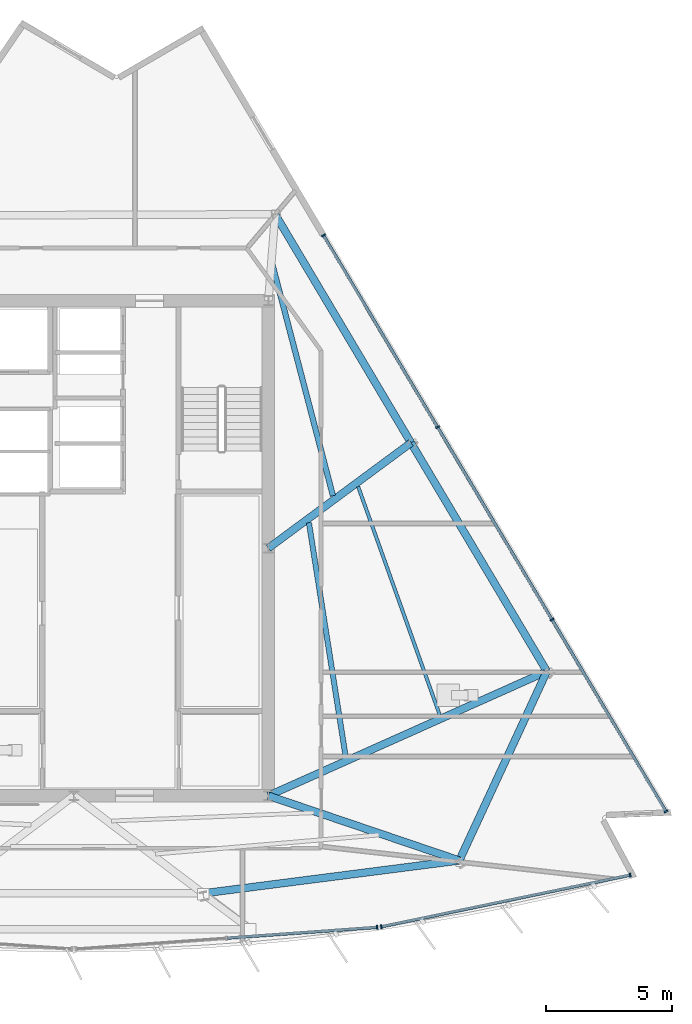
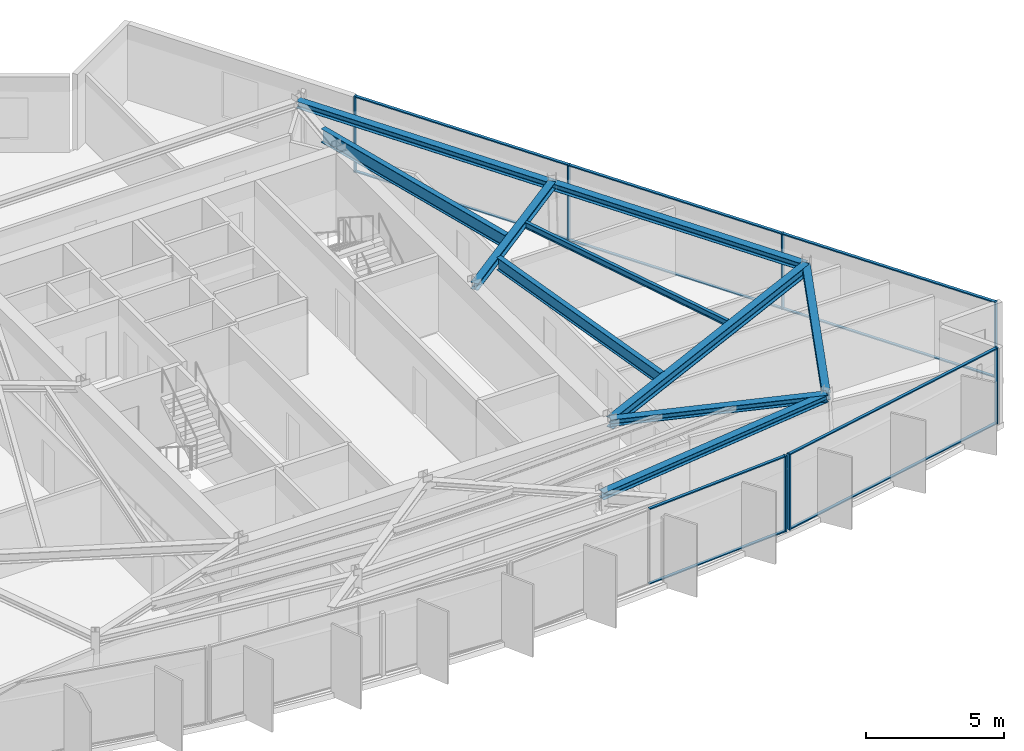
# One storey, part 5 of 12: 17 members, 10 beams, 3 elements without a shape of their own.
"""IFC4 building model written with IfcOpenShell, lengths in metres."""

from ifc_helpers import new_model, si_unit, direction, frame, origin, origin_2d, place, context, subcontext, project, spatial, rectangle, i_section, extrude, material, material_profile, profile_set, type_object, element, aggregate, save


model = new_model("IFC4")

# Units and contexts
model_context = context("Model", 3, precision=1e-05, world=origin(), true_north=direction((0.0, 1.0)))
body_context = subcontext(model_context, "Body", "Model", "MODEL_VIEW")
ifc_project = project(units=[si_unit("LENGTHUNIT", "METRE"), si_unit("AREAUNIT", "SQUARE_METRE"), si_unit("VOLUMEUNIT", "CUBIC_METRE"), si_unit("PLANEANGLEUNIT", "RADIAN"), si_unit("MASSUNIT", "GRAM", prefix="KILO")], contexts=[model_context])

# Site, building, storey
site_placement = place(None, origin())
site = spatial("IfcSite", under=ifc_project, at=site_placement, CompositionType="ELEMENT")
building_placement = place(site_placement, origin())
building = spatial("IfcBuilding", under=site, at=building_placement, Name="Savorim Split Tower", CompositionType="ELEMENT")
storey_placement = place(building_placement, frame((0.0, 0.0, 279.60009765625)))
storey = spatial("IfcBuildingStorey", under=building, at=storey_placement, Name="L74", CompositionType="ELEMENT", Elevation=279.60009765625)

# Beams
ifc_material_1 = material(Name="Steel S355", Category="steel")
ifc_material_profile_1 = material_profile(ifc_material_1, i_section(OverallWidth=0.135009765625, OverallDepth=0.27001953125, WebThickness=0.006591796875, FlangeThickness=0.01025390625, FilletRadius=0.014892578125, at=origin_2d()), Name="IPE 270")
ifc_profile_set_1 = profile_set([ifc_material_profile_1], Name="Steel S355")
beam_type_1 = type_object("IfcBeamType", Name="BM-JST-IPE270", PredefinedType="JOIST", material=ifc_profile_set_1)
beam_1_placement = place(storey_placement, frame((14.48291015625, -6.1943359375, 3.21484375), z_axis=(-0.336523463098, 0.941675081323, 0.0), x_axis=(-0.941675081323, -0.336523463098, 0.0)))
element("IfcBeam", 1, at=beam_1_placement, inside=storey, type_object=beam_type_1, Name="L74 Secondary Floor Joist JS-06", PredefinedType="JOIST", context=body_context, shape_type="SweptSolid", body=[
    extrude(i_section(OverallWidth=0.135009765625, OverallDepth=0.27001953125, WebThickness=0.006591796875, FlangeThickness=0.01025390625, FilletRadius=0.014892578125, at=origin_2d()), origin(), (0.0, 0.0, 1.0), 9.590087890625),
])
ifc_material_profile_2 = material_profile(ifc_material_1, i_section(OverallWidth=0.2099609375, OverallDepth=0.550048828125, WebThickness=0.010986328125, FlangeThickness=0.01708984375, FilletRadius=0.02392578125, at=origin_2d()), Name="IPE 550")
ifc_profile_set_2 = profile_set([ifc_material_profile_2], Name="Steel S355")
beam_type_2 = type_object("IfcBeamType", Name="BM-JST-IPE550", PredefinedType="JOIST", material=ifc_profile_set_2)
beam_2_placement = place(storey_placement, frame((10.7626953125, -7.8623046875, 3.074951171875), z_axis=(-0.155175826111, 0.987886867506, 0.0), x_axis=(-0.987886867506, -0.155175826111, 0.0)))
element("IfcBeam", 2, at=beam_2_placement, inside=storey, type_object=beam_type_2, Name="L74 Secondary Floor Joist JS-08", PredefinedType="JOIST", context=body_context, shape_type="SweptSolid", body=[
    extrude(i_section(OverallWidth=0.2099609375, OverallDepth=0.550048828125, WebThickness=0.010986328125, FlangeThickness=0.01708984375, FilletRadius=0.02392578125, at=origin_2d()), origin(), (0.0, 0.0, 1.0), 9.386474609375),
])
ifc_material_profile_3 = material_profile(ifc_material_1, i_section(OverallWidth=0.219970703125, OverallDepth=0.60009765625, WebThickness=0.011962890625, FlangeThickness=0.01904296875, FilletRadius=0.02392578125, at=origin_2d()), Name="IPE 600")
ifc_profile_set_3 = profile_set([ifc_material_profile_3], Name="Steel S355")
beam_type_3 = type_object("IfcBeamType", Name="BM-JST-IPE600", PredefinedType="JOIST", material=ifc_profile_set_3)
beam_3_placement = place(storey_placement, frame((10.257568359375, 2.474365234375, 3.0498046875), z_axis=(-0.253199959648, 0.967413965391, 0.0), x_axis=(-0.967413965391, -0.253199959648, 0.0)))
element("IfcBeam", 3, at=beam_3_placement, inside=storey, type_object=beam_type_3, Name="L74 Secondary Floor Joist JS-07", PredefinedType="JOIST", context=body_context, shape_type="SweptSolid", body=[
    extrude(i_section(OverallWidth=0.219970703125, OverallDepth=0.60009765625, WebThickness=0.011962890625, FlangeThickness=0.01904296875, FilletRadius=0.02392578125, at=origin_2d()), origin(), (0.0, 0.0, 1.0), 9.451171875),
])
ifc_material_profile_4 = material_profile(ifc_material_1, i_section(OverallWidth=0.300048828125, OverallDepth=0.300048828125, WebThickness=0.010986328125, FlangeThickness=0.01904296875, FilletRadius=0.027099609375, at=origin_2d()), Name="HEB 300")
ifc_profile_set_4 = profile_set([ifc_material_profile_4], Name="Steel S355")
beam_type_4 = type_object("IfcBeamType", Name="BM-PRI-HEB300", PredefinedType="BEAM", material=ifc_profile_set_4)
beam_4_placement = place(storey_placement, frame((15.25927734375, -11.96240234375, 3.199951171875), z_axis=(-0.947065248917, 0.321041141124, 0.0), x_axis=(-0.321041141124, -0.947065248917, 0.0)))
element("IfcBeam", 4, at=beam_4_placement, inside=storey, type_object=beam_type_4, Name="L74 Primary Floor Girder RG-04", PredefinedType="BEAM", context=body_context, shape_type="SweptSolid", body=[
    extrude(i_section(OverallWidth=0.300048828125, OverallDepth=0.300048828125, WebThickness=0.010986328125, FlangeThickness=0.01904296875, FilletRadius=0.027099609375, at=origin_2d()), origin(), (0.0, 0.0, 1.0), 7.98193359375),
])
beam_5_placement = place(storey_placement, frame((13.347900390625, 4.572998046875, 3.199951171875), z_axis=(-0.804276560366, -0.594255176205, 0.0), x_axis=(0.594255176205, -0.804276560366, 0.0)))
element("IfcBeam", 5, at=beam_5_placement, inside=storey, type_object=beam_type_4, Name="L74 Primary Floor Girder RG-06", PredefinedType="BEAM", context=body_context, shape_type="SweptSolid", body=[
    extrude(i_section(OverallWidth=0.300048828125, OverallDepth=0.300048828125, WebThickness=0.010986328125, FlangeThickness=0.01904296875, FilletRadius=0.027099609375, at=origin_2d()), origin(), (0.0, 0.0, 1.0), 7.0224609375),
])
ifc_material_profile_5 = material_profile(ifc_material_1, i_section(OverallWidth=0.300048828125, OverallDepth=0.449951171875, WebThickness=0.013916015625, FlangeThickness=0.02587890625, FilletRadius=0.027099609375, at=origin_2d()), Name="HEB 450")
ifc_profile_set_5 = profile_set([ifc_material_profile_5], Name="Steel S355")
beam_type_5 = type_object("IfcBeamType", Name="BM-PRI-HEB450", PredefinedType="BEAM", material=ifc_profile_set_5)
beam_6_placement = place(storey_placement, frame((18.726806640625, -4.472900390625, 3.125), z_axis=(-0.913005346597, -0.407947591101, 0.0), x_axis=(0.407947591101, -0.913005346597, 0.0)))
element("IfcBeam", 6, at=beam_6_placement, inside=storey, type_object=beam_type_5, Name="L74 Primary Floor Girder RG-05", PredefinedType="BEAM", context=body_context, shape_type="SweptSolid", body=[
    extrude(i_section(OverallWidth=0.300048828125, OverallDepth=0.449951171875, WebThickness=0.013916015625, FlangeThickness=0.02587890625, FilletRadius=0.027099609375, at=origin_2d()), origin(), (0.0, 0.0, 1.0), 12.07763671875),
])
ifc_material_profile_6 = material_profile(ifc_material_1, i_section(OverallWidth=0.300048828125, OverallDepth=0.31005859375, WebThickness=0.009033203125, FlangeThickness=0.015380859375, FilletRadius=0.027099609375, at=origin_2d()), Name="HEA 320")
ifc_profile_set_6 = profile_set([ifc_material_profile_6], Name="Steel S355")
beam_type_6 = type_object("IfcBeamType", Name="BM-SPN-HEA320", PredefinedType="SPANDREL", material=ifc_profile_set_6)
beam_7_placement = place(storey_placement, frame((5.1142578125, -13.264892578125, 3.19482421875), z_axis=(0.991858875816, 0.127341943074, 0.0), x_axis=(-0.127341943074, 0.991858875816, 0.0)))
element("IfcBeam", 7, at=beam_7_placement, inside=storey, type_object=beam_type_6, Name="L74 Perimeter Spandrel Beam 3", PredefinedType="SPANDREL", context=body_context, shape_type="SweptSolid", body=[
    extrude(i_section(OverallWidth=0.300048828125, OverallDepth=0.31005859375, WebThickness=0.009033203125, FlangeThickness=0.015380859375, FilletRadius=0.027099609375, at=origin_2d()), origin(), (0.0, 0.0, 1.0), 10.228271484375),
])
beam_8_placement = place(storey_placement, frame((15.25927734375, -11.96240234375, 3.19482421875), z_axis=(0.420140259094, 0.907459179626, 0.0), x_axis=(-0.907459179626, 0.420140259094, 0.0)))
element("IfcBeam", 8, at=beam_8_placement, inside=storey, type_object=beam_type_6, Name="L74 Perimeter Spandrel Beam 4", PredefinedType="SPANDREL", context=body_context, shape_type="SweptSolid", body=[
    extrude(i_section(OverallWidth=0.300048828125, OverallDepth=0.31005859375, WebThickness=0.009033203125, FlangeThickness=0.015380859375, FilletRadius=0.027099609375, at=origin_2d()), origin(), (0.0, 0.0, 1.0), 8.253173828125),
])
beam_9_placement = place(storey_placement, frame((18.726806640625, -4.472900390625, 3.19482421875), z_axis=(-0.511093920952, 0.859524871057, 0.0), x_axis=(-0.859524871057, -0.511093920952, 0.0)))
element("IfcBeam", 9, at=beam_9_placement, inside=storey, type_object=beam_type_6, Name="L74 Perimeter Spandrel Beam 5", PredefinedType="SPANDREL", context=body_context, shape_type="SweptSolid", body=[
    extrude(i_section(OverallWidth=0.300048828125, OverallDepth=0.31005859375, WebThickness=0.009033203125, FlangeThickness=0.015380859375, FilletRadius=0.027099609375, at=origin_2d()), origin(), (0.0, 0.0, 1.0), 10.5244140625),
])
beam_10_placement = place(storey_placement, frame((13.347900390625, 4.572998046875, 3.19482421875), z_axis=(-0.511097164467, 0.859522942378, 0.0), x_axis=(-0.859522942378, -0.511097164467, 0.0)))
element("IfcBeam", 10, at=beam_10_placement, inside=storey, type_object=beam_type_6, Name="L74 Perimeter Spandrel Beam 6", PredefinedType="SPANDREL", context=body_context, shape_type="SweptSolid", body=[
    extrude(i_section(OverallWidth=0.300048828125, OverallDepth=0.31005859375, WebThickness=0.009033203125, FlangeThickness=0.015380859375, FilletRadius=0.027099609375, at=origin_2d()), origin(), (0.0, 0.0, 1.0), 10.523681640625),
])

# Curtain wall, member
ifc_material_2 = material(Name="Dark Ceramic-Fritted Insulated Glass", Category="glass")
curtain_wall_type = type_object("IfcCurtainWallType", Name="CW-TWR-FRIT-B", PredefinedType="NOTDEFINED", material=ifc_material_2)
curtain_wall_1_placement = place(storey_placement, origin())
curtain_wall_1 = element("IfcCurtainWall", 11, at=curtain_wall_1_placement, inside=storey, type_object=curtain_wall_type, Name="L74 Curtain Wall CW-L74-SF3", PredefinedType="NOTDEFINED")
ifc_material_3 = material(Name="Charcoal Anodised Aluminium", Category="aluminium")
ifc_material_profile_7 = material_profile(ifc_material_3, rectangle(XDim=0.159912109375, YDim=0.06005859375, at=origin_2d()), Name="ALU-M 160x60")
ifc_profile_set_7 = profile_set([ifc_material_profile_7], Name="Charcoal Anodised Aluminium")
member_type_1 = type_object("IfcMemberType", Name="CWM-160x60", PredefinedType="MULLION", material=ifc_profile_set_7)
member_1_placement = place(storey_placement, frame((12.00732421875, -14.607177734375, 0.0), z_axis=(0.0, 0.0, 1.0), x_axis=(-0.071558116795, 0.99743643202, 0.0)))
member_1 = element("IfcMember", 12, at=member_1_placement, type_object=member_type_1, Name="CW-03 mullion 3", PredefinedType="MULLION", context=body_context, shape_type="SweptSolid", body=[
    extrude(rectangle(XDim=0.159912109375, YDim=0.06005859375, at=origin_2d()), origin(), (0.0, 0.0, 1.0), 3.349853515625),
])

# Curtain wall, members
curtain_wall_2_placement = place(storey_placement, origin())
curtain_wall_2 = element("IfcCurtainWall", 13, at=curtain_wall_2_placement, inside=storey, type_object=curtain_wall_type, Name="L74 Curtain Wall CW-L74-SF4", PredefinedType="NOTDEFINED")
member_2_placement = place(storey_placement, frame((12.16943359375, -14.584716796875, 0.0), z_axis=(0.0, 0.0, 1.0), x_axis=(-0.20321234794, 0.979134690247, 0.0)))
member_2 = element("IfcMember", 14, at=member_2_placement, type_object=member_type_1, Name="CW-03 mullion 1", PredefinedType="MULLION", context=body_context, shape_type="SweptSolid", body=[
    extrude(rectangle(XDim=0.159912109375, YDim=0.06005859375, at=origin_2d()), origin(), (0.0, 0.0, 1.0), 3.349853515625),
])
member_3_placement = place(storey_placement, frame((22.02490234375, -12.539306640625, 0.0), z_axis=(0.0, 0.0, 1.0), x_axis=(-0.20321234794, 0.979134690247, 0.0)))
member_3 = element("IfcMember", 15, at=member_3_placement, type_object=member_type_1, Name="CW-03 mullion 2", PredefinedType="MULLION", context=body_context, shape_type="SweptSolid", body=[
    extrude(rectangle(XDim=0.159912109375, YDim=0.06005859375, at=origin_2d()), origin(), (0.0, 0.0, 1.0), 3.349853515625),
])

curtain_wall_3_placement = place(storey_placement, origin())
curtain_wall_3 = element("IfcCurtainWall", 16, at=curtain_wall_3_placement, inside=storey, type_object=curtain_wall_type, Name="L74 Curtain Wall CW-L74-EAST", PredefinedType="NOTDEFINED")
member_4_placement = place(storey_placement, frame((23.44482421875, -10.0234375, 0.0), z_axis=(0.0, 0.0, 1.0), x_axis=(-0.859526200766, -0.511091684727, 0.0)))
member_4 = element("IfcMember", 17, at=member_4_placement, type_object=member_type_1, Name="CW-03 mullion 1", PredefinedType="MULLION", context=body_context, shape_type="SweptSolid", body=[
    extrude(rectangle(XDim=0.159912109375, YDim=0.06005859375, at=origin_2d()), origin(), (0.0, 0.0, 1.0), 3.349853515625),
])
member_5_placement = place(storey_placement, frame((18.92919921875, -2.42919921875, 0.0), z_axis=(0.0, 0.0, 1.0), x_axis=(-0.859526200766, -0.511091684727, 0.0)))
member_5 = element("IfcMember", 18, at=member_5_placement, type_object=member_type_1, Name="CW-03 mullion 2", PredefinedType="MULLION", context=body_context, shape_type="SweptSolid", body=[
    extrude(rectangle(XDim=0.159912109375, YDim=0.06005859375, at=origin_2d()), origin(), (0.0, 0.0, 1.0), 3.349853515625),
])
member_6_placement = place(storey_placement, frame((14.398193359375, 5.190673828125, 0.0), z_axis=(0.0, 0.0, 1.0), x_axis=(-0.859526200766, -0.511091684727, 0.0)))
member_6 = element("IfcMember", 19, at=member_6_placement, type_object=member_type_1, Name="CW-03 mullion 3", PredefinedType="MULLION", context=body_context, shape_type="SweptSolid", body=[
    extrude(rectangle(XDim=0.159912109375, YDim=0.06005859375, at=origin_2d()), origin(), (0.0, 0.0, 1.0), 3.349853515625),
])
member_7_placement = place(storey_placement, frame((9.882568359375, 12.784912109375, 0.0), z_axis=(0.0, 0.0, 1.0), x_axis=(-0.859526200766, -0.511091684727, 0.0)))
member_7 = element("IfcMember", 20, at=member_7_placement, type_object=member_type_1, Name="CW-03 mullion 4", PredefinedType="MULLION", context=body_context, shape_type="SweptSolid", body=[
    extrude(rectangle(XDim=0.159912109375, YDim=0.06005859375, at=origin_2d()), origin(), (0.0, 0.0, 1.0), 3.349853515625),
])

# Member
ifc_material_profile_8 = material_profile(ifc_material_3, rectangle(XDim=0.1201171875, YDim=0.050048828125, at=origin_2d()), Name="ALU-T 120x50")
ifc_profile_set_8 = profile_set([ifc_material_profile_8], Name="Charcoal Anodised Aluminium")
member_type_2 = type_object("IfcMemberType", Name="CWT-120x50", PredefinedType="USERDEFINED", material=ifc_profile_set_8)
member_8_placement = place(storey_placement, frame((6.07421875, -15.032958984375, 0.02490234375), z_axis=(0.997435614466, 0.071569511625, 0.0), x_axis=(-0.071569511625, 0.997435614466, 0.0)))
member_8 = element("IfcMember", 21, at=member_8_placement, type_object=member_type_2, Name="CW-03 transom 2.1", ObjectType="TRANSOM", PredefinedType="USERDEFINED", context=body_context, shape_type="SweptSolid", body=[
    extrude(rectangle(XDim=0.1201171875, YDim=0.050048828125, at=origin_2d()), origin(), (0.0, 0.0, 1.0), 5.91845703125),
])

member_9_placement = place(storey_placement, frame((6.07421875, -15.032958984375, 3.324951171875), z_axis=(0.997435614466, 0.071569511625, 0.0), x_axis=(-0.071569511625, 0.997435614466, 0.0)))
member_9 = element("IfcMember", 22, at=member_9_placement, type_object=member_type_2, Name="CW-03 transom 2.2", ObjectType="TRANSOM", PredefinedType="USERDEFINED", context=body_context, shape_type="SweptSolid", body=[
    extrude(rectangle(XDim=0.1201171875, YDim=0.050048828125, at=origin_2d()), origin(), (0.0, 0.0, 1.0), 5.91845703125),
])

aggregate(curtain_wall_1, [member_1, member_8, member_9])

member_10_placement = place(storey_placement, frame((12.19873046875, -14.57861328125, 0.02490234375), z_axis=(0.979135028347, 0.203210718869, 0.0), x_axis=(-0.203210718869, 0.979135028347, 0.0)))
member_10 = element("IfcMember", 23, at=member_10_placement, type_object=member_type_2, Name="CW-03 transom 1.1", ObjectType="TRANSOM", PredefinedType="USERDEFINED", context=body_context, shape_type="SweptSolid", body=[
    extrude(rectangle(XDim=0.1201171875, YDim=0.050048828125, at=origin_2d()), origin(), (0.0, 0.0, 1.0), 10.00537109375),
])

member_11_placement = place(storey_placement, frame((12.19873046875, -14.57861328125, 3.324951171875), z_axis=(0.979135028347, 0.203210718869, 0.0), x_axis=(-0.203210718869, 0.979135028347, 0.0)))
member_11 = element("IfcMember", 24, at=member_11_placement, type_object=member_type_2, Name="CW-03 transom 1.2", ObjectType="TRANSOM", PredefinedType="USERDEFINED", context=body_context, shape_type="SweptSolid", body=[
    extrude(rectangle(XDim=0.1201171875, YDim=0.050048828125, at=origin_2d()), origin(), (0.0, 0.0, 1.0), 10.00537109375),
])

aggregate(curtain_wall_2, [member_2, member_3, member_10, member_11])

member_12_placement = place(storey_placement, frame((23.429443359375, -9.99755859375, 0.02490234375), z_axis=(-0.511087614626, 0.859528620917, 0.0), x_axis=(-0.859528620917, -0.511087614626, 0.0)))
member_12 = element("IfcMember", 25, at=member_12_placement, type_object=member_type_2, Name="CW-03 transom 1.1", ObjectType="TRANSOM", PredefinedType="USERDEFINED", context=body_context, shape_type="SweptSolid", body=[
    extrude(rectangle(XDim=0.1201171875, YDim=0.050048828125, at=origin_2d()), origin(), (0.0, 0.0, 1.0), 8.775146484375),
])

member_13_placement = place(storey_placement, frame((23.429443359375, -9.99755859375, 3.324951171875), z_axis=(-0.511087614626, 0.859528620917, 0.0), x_axis=(-0.859528620917, -0.511087614626, 0.0)))
member_13 = element("IfcMember", 26, at=member_13_placement, type_object=member_type_2, Name="CW-03 transom 1.2", ObjectType="TRANSOM", PredefinedType="USERDEFINED", context=body_context, shape_type="SweptSolid", body=[
    extrude(rectangle(XDim=0.1201171875, YDim=0.050048828125, at=origin_2d()), origin(), (0.0, 0.0, 1.0), 8.775146484375),
])

member_14_placement = place(storey_placement, frame((18.913818359375, -2.403564453125, 0.02490234375), z_axis=(-0.511087019208, 0.859528974961, 0.0), x_axis=(-0.859528974961, -0.511087019208, 0.0)))
member_14 = element("IfcMember", 27, at=member_14_placement, type_object=member_type_2, Name="CW-03 transom 2.1", ObjectType="TRANSOM", PredefinedType="USERDEFINED", context=body_context, shape_type="SweptSolid", body=[
    extrude(rectangle(XDim=0.1201171875, YDim=0.050048828125, at=origin_2d()), origin(), (0.0, 0.0, 1.0), 8.80517578125),
])

member_15_placement = place(storey_placement, frame((18.913818359375, -2.403564453125, 3.324951171875), z_axis=(-0.511087019208, 0.859528974961, 0.0), x_axis=(-0.859528974961, -0.511087019208, 0.0)))
member_15 = element("IfcMember", 28, at=member_15_placement, type_object=member_type_2, Name="CW-03 transom 2.2", ObjectType="TRANSOM", PredefinedType="USERDEFINED", context=body_context, shape_type="SweptSolid", body=[
    extrude(rectangle(XDim=0.1201171875, YDim=0.050048828125, at=origin_2d()), origin(), (0.0, 0.0, 1.0), 8.80517578125),
])

member_16_placement = place(storey_placement, frame((14.3828125, 5.216552734375, 0.02490234375), z_axis=(-0.511087614626, 0.859528620917, 0.0), x_axis=(-0.859528620917, -0.511087614626, 0.0)))
member_16 = element("IfcMember", 29, at=member_16_placement, type_object=member_type_2, Name="CW-03 transom 3.1", ObjectType="TRANSOM", PredefinedType="USERDEFINED", context=body_context, shape_type="SweptSolid", body=[
    extrude(rectangle(XDim=0.1201171875, YDim=0.050048828125, at=origin_2d()), origin(), (0.0, 0.0, 1.0), 8.775146484375),
])

member_17_placement = place(storey_placement, frame((14.3828125, 5.216552734375, 3.324951171875), z_axis=(-0.511087614626, 0.859528620917, 0.0), x_axis=(-0.859528620917, -0.511087614626, 0.0)))
member_17 = element("IfcMember", 30, at=member_17_placement, type_object=member_type_2, Name="CW-03 transom 3.2", ObjectType="TRANSOM", PredefinedType="USERDEFINED", context=body_context, shape_type="SweptSolid", body=[
    extrude(rectangle(XDim=0.1201171875, YDim=0.050048828125, at=origin_2d()), origin(), (0.0, 0.0, 1.0), 8.775146484375),
])

aggregate(curtain_wall_3, [member_4, member_5, member_6, member_7, member_12, member_13, member_14, member_15, member_16, member_17])

save(model, "model.ifc")
